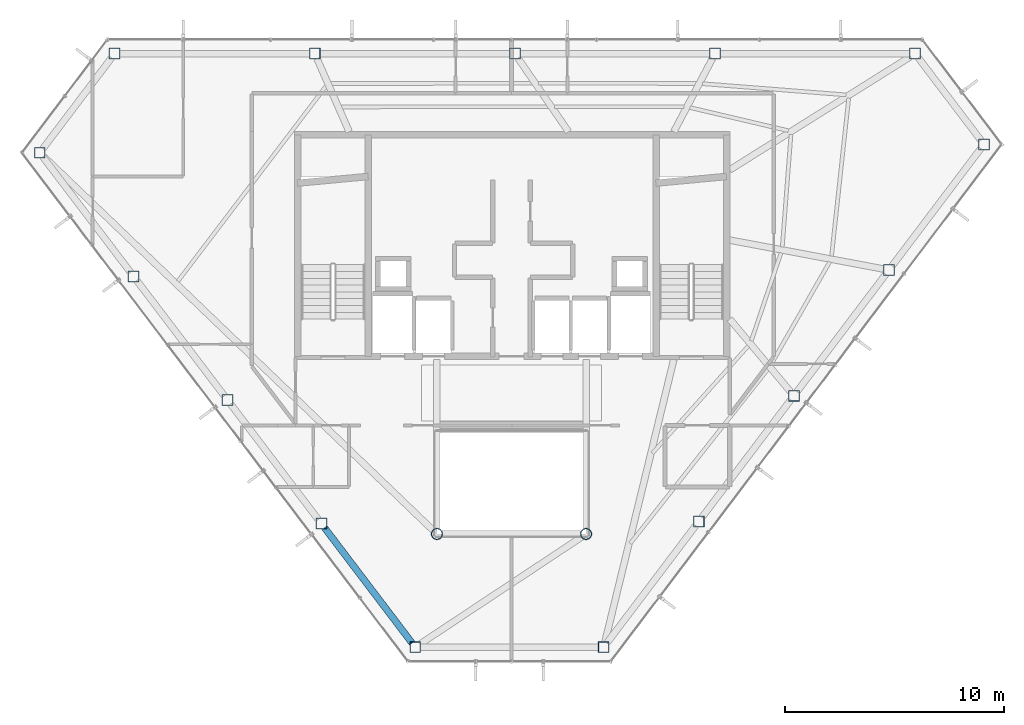
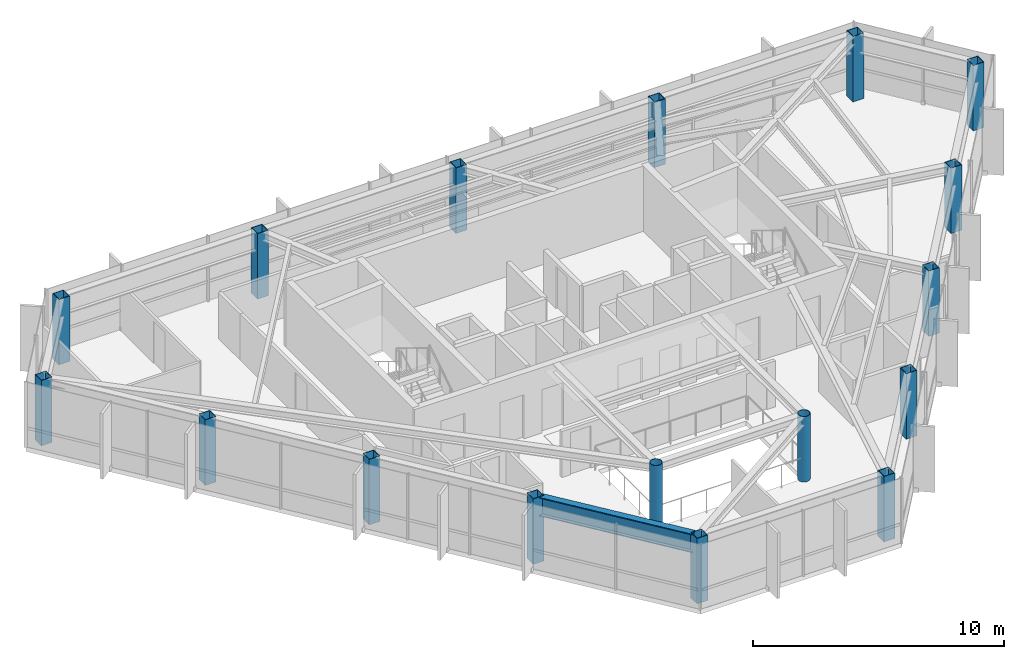
# One storey, part 1 of 24: 17 columns, 1 beam.
"""IFC4 building model written with IfcOpenShell, lengths in metres."""

from ifc_helpers import new_model, si_unit, direction, frame, origin, origin_2d, place, context, subcontext, project, spatial, hollow_rectangle, hollow_circle, i_section, extrude, material, material_profile, profile_set, type_object, element, save


model = new_model("IFC4")

# Units and contexts
model_context = context("Model", 3, precision=1e-05, world=origin(), true_north=direction((0.0, 1.0)))
body_context = subcontext(model_context, "Body", "Model", "MODEL_VIEW")
ifc_project = project(units=[si_unit("LENGTHUNIT", "METRE"), si_unit("AREAUNIT", "SQUARE_METRE"), si_unit("VOLUMEUNIT", "CUBIC_METRE"), si_unit("PLANEANGLEUNIT", "RADIAN"), si_unit("MASSUNIT", "GRAM", prefix="KILO")], contexts=[model_context])

# Site, building, storey
site_placement = place(None, origin())
site = spatial("IfcSite", under=ifc_project, at=site_placement, CompositionType="ELEMENT")
building_placement = place(site_placement, origin())
building = spatial("IfcBuilding", under=site, at=building_placement, Name="Zarrinselat Tower", CompositionType="ELEMENT")
storey_placement = place(building_placement, frame((0.0, 0.0, 268.60009765625)))
storey = spatial("IfcBuildingStorey", under=building, at=storey_placement, Name="L68", CompositionType="ELEMENT", Elevation=268.60009765625)

# Columns
ifc_material_1 = material(Name="Steel S355J2", Category="steel")
ifc_material_profile_1 = material_profile(ifc_material_1, hollow_circle(Radius=0.25390625, WallThickness=0.02001953125, at=origin_2d()), Name="CHS 508x20")
ifc_profile_set_1 = profile_set([ifc_material_profile_1], Name="Steel S355J2")
column_type_1 = type_object("IfcColumnType", Name="COL-CHS508", PredefinedType="COLUMN", material=ifc_profile_set_1)
for number, where, z_axis, x_axis, name in (
    (1, (35.0, 25.199951171875, 0.0), (0.0, 0.0, 1.0), (1.0, 0.0, 0.0), "L68 Atrium Corner Column 1"),
    (2, (41.800048828125, 25.199951171875, 0.0), (0.0, 0.0, 1.0), (1.0, 0.0, 0.0), "L68 Atrium Corner Column 2"),
):
    element("IfcColumn", number, at=place(storey_placement, frame(where, z_axis=z_axis, x_axis=x_axis)), inside=storey, type_object=column_type_1, Name=name, PredefinedType="COLUMN", context=body_context, shape_type="SweptSolid", body=[
        extrude(hollow_circle(Radius=0.25390625, WallThickness=0.02001953125, at=origin_2d()), origin(), (0.0, 0.0, 1.0), 3.179931640625),
    ])
ifc_material_2 = material(Name="Steel S355J2", Category="steel")
ifc_material_profile_2 = material_profile(ifc_material_2, hollow_rectangle(XDim=0.5, YDim=0.5, WallThickness=0.02490234375, at=origin_2d()), Name="SHS 500x500x25")
ifc_profile_set_2 = profile_set([ifc_material_profile_2], Name="Steel S355J2")
column_type_2 = type_object("IfcColumnType", Name="COL-SHS500", PredefinedType="COLUMN", material=ifc_profile_set_2)
for number, where, z_axis, x_axis, name in (
    (3, (56.8037109375, 47.10009765625, 0.0), (0.0, 0.0, 1.0), (1.0, 0.0, 0.0), "L68 Framed-Tube Column T01"),
    (4, (47.679443359375, 47.10009765625, 0.0), (0.0, 0.0, 1.0), (1.0, 0.0, 0.0), "L68 Framed-Tube Column T02"),
    (5, (38.555419921875, 47.10009765625, 0.0), (0.0, 0.0, 1.0), (1.0, 0.0, 0.0), "L68 Framed-Tube Column T03"),
    (6, (29.431396484375, 47.10009765625, 0.0), (0.0, 0.0, 1.0), (1.0, 0.0, 0.0), "L68 Framed-Tube Column T04"),
    (7, (20.30712890625, 47.10009765625, 0.0), (0.0, 0.0, 1.0), (1.0, 0.0, 0.0), "L68 Framed-Tube Column T05"),
    (8, (16.890625, 42.582275390625, 0.0), (0.0, 0.0, 1.0), (1.0, 0.0, 0.0), "L68 Framed-Tube Column T06"),
    (9, (21.1708984375, 36.9462890625, 0.0), (0.0, 0.0, 1.0), (1.0, 0.0, 0.0), "L68 Framed-Tube Column T07"),
    (10, (25.450927734375, 31.31005859375, 0.0), (0.0, 0.0, 1.0), (1.0, 0.0, 0.0), "L68 Framed-Tube Column T08"),
    (11, (29.73095703125, 25.674072265625, 0.0), (0.0, 0.0, 1.0), (1.0, 0.0, 0.0), "L68 Framed-Tube Column T09"),
    (12, (34.010986328125, 20.0380859375, 0.0), (0.0, 0.0, 1.0), (1.0, 0.0, 0.0), "L68 Framed-Tube Column T10"),
    (13, (42.603759765625, 20.0380859375, 0.0), (0.0, 0.0, 1.0), (1.0, 0.0, 0.0), "L68 Framed-Tube Column T11"),
    (14, (46.9384765625, 25.77001953125, 0.0), (0.0, 0.0, 1.0), (1.0, 0.0, 0.0), "L68 Framed-Tube Column T12"),
    (15, (51.273193359375, 31.502197265625, 0.0), (0.0, 0.0, 1.0), (1.0, 0.0, 0.0), "L68 Framed-Tube Column T13"),
    (16, (55.60791015625, 37.234375, 0.0), (0.0, 0.0, 1.0), (1.0, 0.0, 0.0), "L68 Framed-Tube Column T14"),
    (17, (59.942626953125, 42.966552734375, 0.0), (0.0, 0.0, 1.0), (1.0, 0.0, 0.0), "L68 Framed-Tube Column T15"),
):
    element("IfcColumn", number, at=place(storey_placement, frame(where, z_axis=z_axis, x_axis=x_axis)), inside=storey, type_object=column_type_2, Name=name, PredefinedType="COLUMN", context=body_context, shape_type="SweptSolid", body=[
        extrude(hollow_rectangle(XDim=0.5, YDim=0.5, WallThickness=0.02490234375, at=origin_2d()), origin(), (0.0, 0.0, 1.0), 3.179931640625),
    ])

# Beam
ifc_material_3 = material(Name="Steel S460M", Category="steel")
ifc_material_profile_3 = material_profile(ifc_material_3, i_section(OverallWidth=0.302001953125, OverallDepth=0.909912109375, WebThickness=0.02099609375, FlangeThickness=0.0400390625, at=origin_2d()), Name="HEM 900")
ifc_profile_set_3 = profile_set([ifc_material_profile_3], Name="Steel S460M")
beam_type = type_object("IfcBeamType", Name="BM-HEM900", PredefinedType="BEAM", material=ifc_profile_set_3)
beam_placement = place(storey_placement, frame((29.875, 25.484619140625, 2.724853515625), z_axis=(0.604776578329, -0.796395184757, 0.0), x_axis=(0.796395184757, 0.604776578329, 0.0)))
element("IfcBeam", 18, at=beam_placement, inside=storey, type_object=beam_type, Name="L68 Perimeter Spandrel Girder SP09", PredefinedType="BEAM", context=body_context, shape_type="SweptSolid", body=[
    extrude(i_section(OverallWidth=0.302001953125, OverallDepth=0.909912109375, WebThickness=0.02099609375, FlangeThickness=0.0400390625, at=origin_2d()), origin(), (0.0, 0.0, 1.0), 6.60107421875),
])

save(model, "model.ifc")
